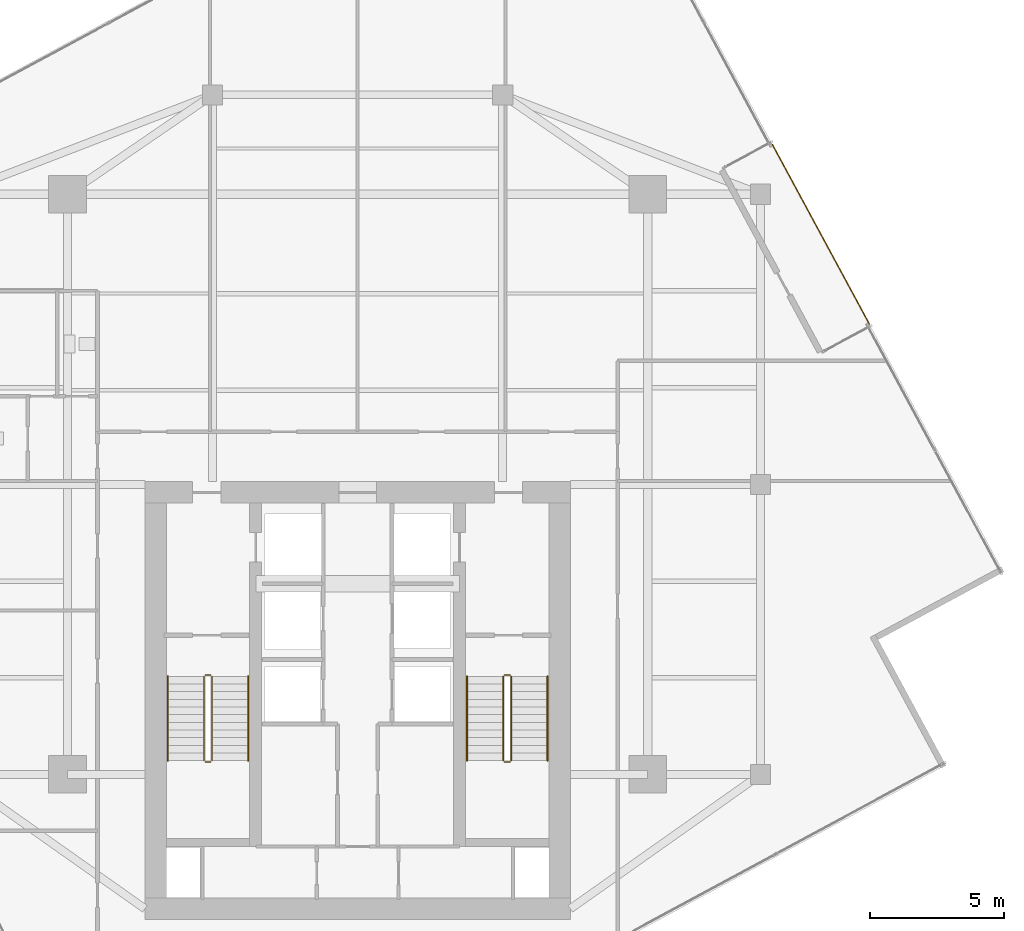
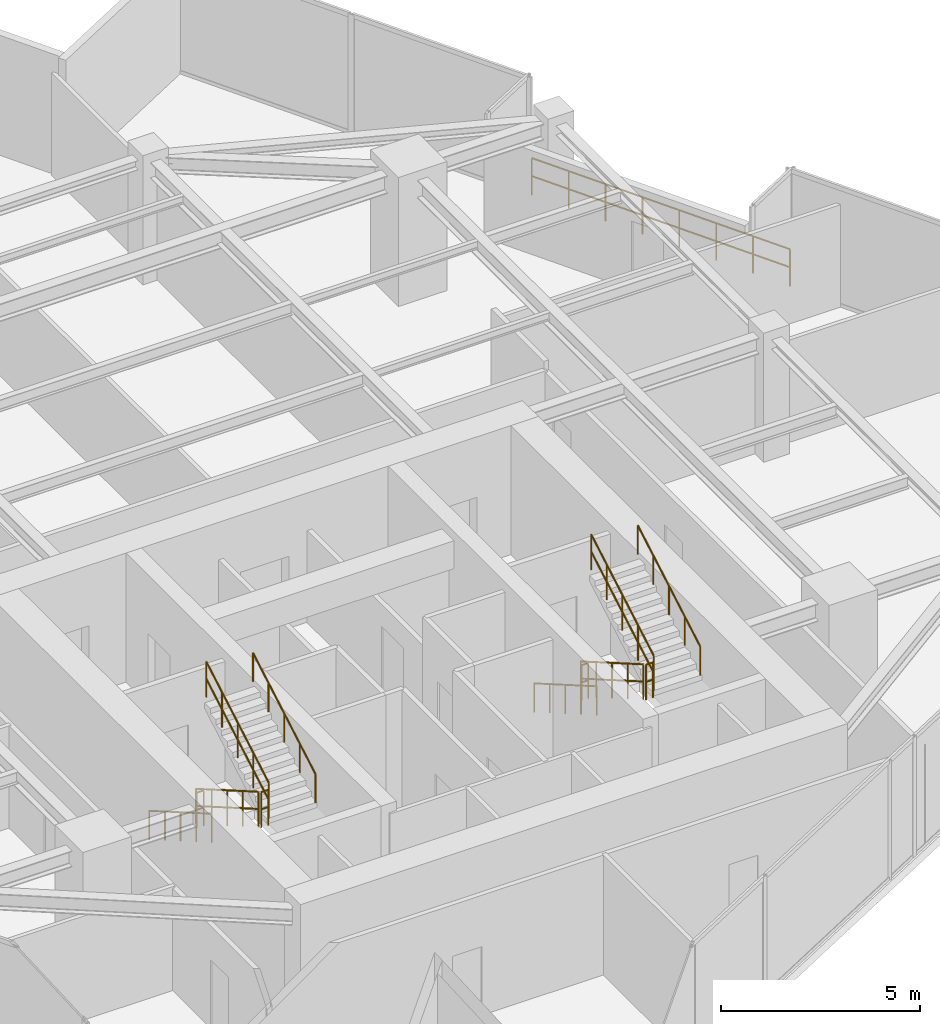
# One storey, part 21 of 22: 13 railings.
"""IFC4 building model written with IfcOpenShell, lengths in metres."""

from ifc_helpers import new_model, si_unit, direction, frame, origin, origin_2d, place, context, subcontext, project, spatial, circle, extrude, material, layer, layer_set, type_object, element, save


model = new_model("IFC4")

# Units and contexts
model_context = context("Model", 3, precision=1e-05, world=origin(), true_north=direction((0.0, 1.0)))
body_context = subcontext(model_context, "Body", "Model", "MODEL_VIEW")
ifc_project = project(units=[si_unit("LENGTHUNIT", "METRE"), si_unit("AREAUNIT", "SQUARE_METRE"), si_unit("VOLUMEUNIT", "CUBIC_METRE"), si_unit("PLANEANGLEUNIT", "RADIAN"), si_unit("MASSUNIT", "GRAM", prefix="KILO")], contexts=[model_context])

# Site, building, storey
site_placement = place(None, origin())
site = spatial("IfcSite", under=ifc_project, at=site_placement, CompositionType="ELEMENT")
building_placement = place(site_placement, origin())
building = spatial("IfcBuilding", under=site, at=building_placement, Name="Krantzveldt Concourse Tower", CompositionType="ELEMENT")
storey_placement = place(building_placement, frame((0.0, 0.0, 302.949951171875)))
storey = spatial("IfcBuildingStorey", under=building, at=storey_placement, Name="L74", CompositionType="ELEMENT", Elevation=302.949951171875)

# Railings
ifc_material = material(Name="Stainless steel 316L", Category="steel")
ifc_layer_1 = layer(ifc_material, 0.080078125, Name="Stainless steel 316L", Category="steel")
ifc_layer_set_1 = layer_set([ifc_layer_1], Name="Stainless steel 316L (RL-BALUSTRADE-1150)")
railing_type_1 = type_object("IfcRailingType", Name="RL-BALUSTRADE-1150", PredefinedType="BALUSTRADE", material=ifc_layer_set_1)
railing_1_placement = place(storey_placement, frame((51.439208984375, 39.358154296875, 0.0)))
element("IfcRailing", 1, at=railing_1_placement, inside=storey, type_object=railing_type_1, Name="GD-L74-CTER-01", PredefinedType="BALUSTRADE", context=body_context, shape_type="SweptSolid", body=[
    extrude(circle(Radius=0.02392578125, at=origin_2d()), frame((0.0, 0.0, 1.1259765625), z_axis=(0.475233473965, -0.879859730425, 0.0), x_axis=(0.879859730425, 0.475233473965, 0.0)), (0.0, 0.0, 1.0), 7.60009765625),
    extrude(circle(Radius=0.02392578125, at=origin_2d()), frame((0.0, 0.0, 0.574951171875), z_axis=(0.475233473965, -0.879859730425, 0.0), x_axis=(0.879859730425, 0.475233473965, 0.0)), (0.0, 0.0, 1.0), 7.60009765625),
    extrude(circle(Radius=0.02099609375, at=origin_2d()), origin(), (0.0, 0.0, 1.0), 1.101806640625),
    extrude(circle(Radius=0.02099609375, at=origin_2d()), frame((0.515869140625, -0.955322265625, 0.0)), (0.0, 0.0, 1.0), 1.101806640625),
    extrude(circle(Radius=0.02099609375, at=origin_2d()), frame((1.031982421875, -1.91064453125, 0.0)), (0.0, 0.0, 1.0), 1.101806640625),
    extrude(circle(Radius=0.02099609375, at=origin_2d()), frame((1.5478515625, -2.865966796875, 0.0)), (0.0, 0.0, 1.0), 1.101806640625),
    extrude(circle(Radius=0.02099609375, at=origin_2d()), frame((2.06396484375, -3.821044921875, 0.0)), (0.0, 0.0, 1.0), 1.101806640625),
    extrude(circle(Radius=0.02099609375, at=origin_2d()), frame((2.579833984375, -4.7763671875, 0.0)), (0.0, 0.0, 1.0), 1.101806640625),
    extrude(circle(Radius=0.02099609375, at=origin_2d()), frame((3.095947265625, -5.731689453125, 0.0)), (0.0, 0.0, 1.0), 1.101806640625),
    extrude(circle(Radius=0.02099609375, at=origin_2d()), frame((3.61181640625, -6.68701171875, 0.0)), (0.0, 0.0, 1.0), 1.101806640625),
])
ifc_layer_2 = layer(ifc_material, 0.06005859375, Name="Stainless steel 316L", Category="steel")
ifc_layer_set_2 = layer_set([ifc_layer_2], Name="Stainless steel 316L (RL-GUARD-1120)")
railing_type_2 = type_object("IfcRailingType", Name="RL-GUARD-1120", PredefinedType="GUARDRAIL", material=ifc_layer_set_2)
railing_2_placement = place(storey_placement, frame((30.280029296875, 19.550048828125, 0.16455078125)))
element("IfcRailing", 2, at=railing_2_placement, inside=storey, type_object=railing_type_2, Name="L74 ST-1 stair guard 1", PredefinedType="GUARDRAIL", context=body_context, shape_type="SweptSolid", body=[
    extrude(circle(Radius=0.02392578125, at=origin_2d()), frame((0.0, 0.0, 1.076171875), z_axis=(0.0, -0.865959834175, 0.500113552702), x_axis=(1.0, 0.0, 0.0)), (0.0, 0.0, 1.0), 3.620361328125),
    extrude(circle(Radius=0.02392578125, at=origin_2d()), frame((0.0, 0.0, 0.550048828125), z_axis=(0.0, -0.865959834175, 0.500113552702), x_axis=(1.0, 0.0, 0.0)), (0.0, 0.0, 1.0), 3.620361328125),
    extrude(circle(Radius=0.02099609375, at=origin_2d()), origin(), (0.0, 0.0, 1.0), 1.052001953125),
    extrude(circle(Radius=0.02099609375, at=origin_2d()), frame((0.0, -0.78369140625, 0.45263671875)), (0.0, 0.0, 1.0), 1.052001953125),
    extrude(circle(Radius=0.02099609375, at=origin_2d()), frame((0.0, -1.5673828125, 0.9052734375)), (0.0, 0.0, 1.0), 1.052001953125),
    extrude(circle(Radius=0.02099609375, at=origin_2d()), frame((0.0, -2.351318359375, 1.35791015625)), (0.0, 0.0, 1.0), 1.052001953125),
    extrude(circle(Radius=0.02099609375, at=origin_2d()), frame((0.0, -3.135009765625, 1.810546875)), (0.0, 0.0, 1.0), 1.052001953125),
])
railing_3_placement = place(storey_placement, frame((30.330078125, 16.364990234375, 1.97509765625)))
element("IfcRailing", 3, at=railing_3_placement, inside=storey, type_object=railing_type_2, Name="L74 ST-1 stair guard 2", PredefinedType="GUARDRAIL", context=body_context, shape_type="SweptSolid", body=[
    extrude(circle(Radius=0.02392578125, at=origin_2d()), frame((0.0, 0.0, 1.076171875), z_axis=(1.0, 0.0, 0.0), x_axis=(0.0, 1.0, 0.0)), (0.0, 0.0, 1.0), 0.199951171875),
    extrude(circle(Radius=0.02392578125, at=origin_2d()), frame((0.0, 0.0, 0.550048828125), z_axis=(1.0, 0.0, 0.0), x_axis=(0.0, 1.0, 0.0)), (0.0, 0.0, 1.0), 0.199951171875),
    extrude(circle(Radius=0.02099609375, at=origin_2d()), origin(), (0.0, 0.0, 1.0), 1.052001953125),
    extrude(circle(Radius=0.02099609375, at=origin_2d()), frame((0.199951171875, 0.0, 0.0)), (0.0, 0.0, 1.0), 1.052001953125),
])
railing_4_placement = place(storey_placement, frame((30.580078125, 16.4150390625, 2.1396484375)))
element("IfcRailing", 4, at=railing_4_placement, inside=storey, type_object=railing_type_2, Name="L74 ST-1 stair guard 3", PredefinedType="GUARDRAIL", context=body_context, shape_type="SweptSolid", body=[
    extrude(circle(Radius=0.02392578125, at=origin_2d()), frame((0.0, 0.0, 1.076171875), z_axis=(0.0, 0.865989039225, 0.500062979975), x_axis=(-1.0, 0.0, 0.0)), (0.0, 0.0, 1.0), 3.6201171875),
    extrude(circle(Radius=0.02392578125, at=origin_2d()), frame((0.0, 0.0, 0.550048828125), z_axis=(0.0, 0.865989039225, 0.500062979975), x_axis=(-1.0, 0.0, 0.0)), (0.0, 0.0, 1.0), 3.6201171875),
    extrude(circle(Radius=0.02099609375, at=origin_2d()), origin(), (0.0, 0.0, 1.0), 1.052001953125),
    extrude(circle(Radius=0.02099609375, at=origin_2d()), frame((0.0, 0.78369140625, 0.45263671875)), (0.0, 0.0, 1.0), 1.052001953125),
    extrude(circle(Radius=0.02099609375, at=origin_2d()), frame((0.0, 1.5673828125, 0.9052734375)), (0.0, 0.0, 1.0), 1.052001953125),
    extrude(circle(Radius=0.02099609375, at=origin_2d()), frame((0.0, 2.351318359375, 1.357666015625)), (0.0, 0.0, 1.0), 1.052001953125),
    extrude(circle(Radius=0.02099609375, at=origin_2d()), frame((0.0, 3.135009765625, 1.810302734375)), (0.0, 0.0, 1.0), 1.052001953125),
])
railing_5_placement = place(storey_placement, frame((30.330078125, 19.60009765625, 0.0)))
element("IfcRailing", 5, at=railing_5_placement, inside=storey, type_object=railing_type_2, Name="L74 ST-1 stair guard 4", PredefinedType="GUARDRAIL", context=body_context, shape_type="SweptSolid", body=[
    extrude(circle(Radius=0.02392578125, at=origin_2d()), frame((0.0, 0.0, 1.076171875), z_axis=(1.0, 0.0, 0.0), x_axis=(0.0, 1.0, 0.0)), (0.0, 0.0, 1.0), 0.199951171875),
    extrude(circle(Radius=0.02392578125, at=origin_2d()), frame((0.0, 0.0, 0.550048828125), z_axis=(1.0, 0.0, 0.0), x_axis=(0.0, 1.0, 0.0)), (0.0, 0.0, 1.0), 0.199951171875),
    extrude(circle(Radius=0.02099609375, at=origin_2d()), origin(), (0.0, 0.0, 1.0), 1.052001953125),
    extrude(circle(Radius=0.02099609375, at=origin_2d()), frame((0.199951171875, 0.0, 0.0)), (0.0, 0.0, 1.0), 1.052001953125),
])
railing_6_placement = place(storey_placement, frame((41.419921875, 19.550048828125, 0.16455078125)))
element("IfcRailing", 6, at=railing_6_placement, inside=storey, type_object=railing_type_2, Name="L74 ST-2 stair guard 1", PredefinedType="GUARDRAIL", context=body_context, shape_type="SweptSolid", body=[
    extrude(circle(Radius=0.02392578125, at=origin_2d()), frame((0.0, 0.0, 1.076171875), z_axis=(0.0, -0.865959834175, 0.500113552702), x_axis=(1.0, 0.0, 0.0)), (0.0, 0.0, 1.0), 3.620361328125),
    extrude(circle(Radius=0.02392578125, at=origin_2d()), frame((0.0, 0.0, 0.550048828125), z_axis=(0.0, -0.865959834175, 0.500113552702), x_axis=(1.0, 0.0, 0.0)), (0.0, 0.0, 1.0), 3.620361328125),
    extrude(circle(Radius=0.02099609375, at=origin_2d()), origin(), (0.0, 0.0, 1.0), 1.052001953125),
    extrude(circle(Radius=0.02099609375, at=origin_2d()), frame((0.0, -0.78369140625, 0.45263671875)), (0.0, 0.0, 1.0), 1.052001953125),
    extrude(circle(Radius=0.02099609375, at=origin_2d()), frame((0.0, -1.5673828125, 0.9052734375)), (0.0, 0.0, 1.0), 1.052001953125),
    extrude(circle(Radius=0.02099609375, at=origin_2d()), frame((0.0, -2.351318359375, 1.35791015625)), (0.0, 0.0, 1.0), 1.052001953125),
    extrude(circle(Radius=0.02099609375, at=origin_2d()), frame((0.0, -3.135009765625, 1.810546875)), (0.0, 0.0, 1.0), 1.052001953125),
])
railing_7_placement = place(storey_placement, frame((41.469970703125, 16.364990234375, 1.97509765625)))
element("IfcRailing", 7, at=railing_7_placement, inside=storey, type_object=railing_type_2, Name="L74 ST-2 stair guard 2", PredefinedType="GUARDRAIL", context=body_context, shape_type="SweptSolid", body=[
    extrude(circle(Radius=0.02392578125, at=origin_2d()), frame((0.0, 0.0, 1.076171875), z_axis=(1.0, 0.0, 0.0), x_axis=(0.0, 1.0, 0.0)), (0.0, 0.0, 1.0), 0.199951171875),
    extrude(circle(Radius=0.02392578125, at=origin_2d()), frame((0.0, 0.0, 0.550048828125), z_axis=(1.0, 0.0, 0.0), x_axis=(0.0, 1.0, 0.0)), (0.0, 0.0, 1.0), 0.199951171875),
    extrude(circle(Radius=0.02099609375, at=origin_2d()), origin(), (0.0, 0.0, 1.0), 1.052001953125),
    extrude(circle(Radius=0.02099609375, at=origin_2d()), frame((0.199951171875, 0.0, 0.0)), (0.0, 0.0, 1.0), 1.052001953125),
])
railing_8_placement = place(storey_placement, frame((41.719970703125, 16.4150390625, 2.1396484375)))
element("IfcRailing", 8, at=railing_8_placement, inside=storey, type_object=railing_type_2, Name="L74 ST-2 stair guard 3", PredefinedType="GUARDRAIL", context=body_context, shape_type="SweptSolid", body=[
    extrude(circle(Radius=0.02392578125, at=origin_2d()), frame((0.0, 0.0, 1.076171875), z_axis=(0.0, 0.865989039225, 0.500062979975), x_axis=(-1.0, 0.0, 0.0)), (0.0, 0.0, 1.0), 3.6201171875),
    extrude(circle(Radius=0.02392578125, at=origin_2d()), frame((0.0, 0.0, 0.550048828125), z_axis=(0.0, 0.865989039225, 0.500062979975), x_axis=(-1.0, 0.0, 0.0)), (0.0, 0.0, 1.0), 3.6201171875),
    extrude(circle(Radius=0.02099609375, at=origin_2d()), origin(), (0.0, 0.0, 1.0), 1.052001953125),
    extrude(circle(Radius=0.02099609375, at=origin_2d()), frame((0.0, 0.78369140625, 0.45263671875)), (0.0, 0.0, 1.0), 1.052001953125),
    extrude(circle(Radius=0.02099609375, at=origin_2d()), frame((0.0, 1.5673828125, 0.9052734375)), (0.0, 0.0, 1.0), 1.052001953125),
    extrude(circle(Radius=0.02099609375, at=origin_2d()), frame((0.0, 2.351318359375, 1.357666015625)), (0.0, 0.0, 1.0), 1.052001953125),
    extrude(circle(Radius=0.02099609375, at=origin_2d()), frame((0.0, 3.135009765625, 1.810302734375)), (0.0, 0.0, 1.0), 1.052001953125),
])
railing_9_placement = place(storey_placement, frame((41.469970703125, 19.60009765625, 0.0)))
element("IfcRailing", 9, at=railing_9_placement, inside=storey, type_object=railing_type_2, Name="L74 ST-2 stair guard 4", PredefinedType="GUARDRAIL", context=body_context, shape_type="SweptSolid", body=[
    extrude(circle(Radius=0.02392578125, at=origin_2d()), frame((0.0, 0.0, 1.076171875), z_axis=(1.0, 0.0, 0.0), x_axis=(0.0, 1.0, 0.0)), (0.0, 0.0, 1.0), 0.199951171875),
    extrude(circle(Radius=0.02392578125, at=origin_2d()), frame((0.0, 0.0, 0.550048828125), z_axis=(1.0, 0.0, 0.0), x_axis=(0.0, 1.0, 0.0)), (0.0, 0.0, 1.0), 0.199951171875),
    extrude(circle(Radius=0.02099609375, at=origin_2d()), origin(), (0.0, 0.0, 1.0), 1.052001953125),
    extrude(circle(Radius=0.02099609375, at=origin_2d()), frame((0.199951171875, 0.0, 0.0)), (0.0, 0.0, 1.0), 1.052001953125),
])
ifc_layer_3 = layer(ifc_material, 0.050048828125, Name="Stainless steel 316L", Category="steel")
ifc_layer_set_3 = layer_set([ifc_layer_3], Name="Stainless steel 316L (RL-HANDRAIL-920)")
railing_type_3 = type_object("IfcRailingType", Name="RL-HANDRAIL-920", PredefinedType="HANDRAIL", material=ifc_layer_set_3)
railing_10_placement = place(storey_placement, frame((28.929931640625, 19.550048828125, 0.16455078125)))
element("IfcRailing", 10, at=railing_10_placement, inside=storey, type_object=railing_type_3, Name="L74 ST-1 stair handrail 1", PredefinedType="HANDRAIL", context=body_context, shape_type="SweptSolid", body=[
    extrude(circle(Radius=0.02392578125, at=origin_2d()), frame((0.0, 0.0, 0.8759765625), z_axis=(0.0, -0.865959834175, 0.500113552702), x_axis=(1.0, 0.0, 0.0)), (0.0, 0.0, 1.0), 3.620361328125),
    extrude(circle(Radius=0.02099609375, at=origin_2d()), origin(), (0.0, 0.0, 1.0), 0.851806640625),
    extrude(circle(Radius=0.02099609375, at=origin_2d()), frame((0.0, -0.78369140625, 0.45263671875)), (0.0, 0.0, 1.0), 0.851806640625),
    extrude(circle(Radius=0.02099609375, at=origin_2d()), frame((0.0, -1.5673828125, 0.9052734375)), (0.0, 0.0, 1.0), 0.851806640625),
    extrude(circle(Radius=0.02099609375, at=origin_2d()), frame((0.0, -2.351318359375, 1.35791015625)), (0.0, 0.0, 1.0), 0.851806640625),
    extrude(circle(Radius=0.02099609375, at=origin_2d()), frame((0.0, -3.135009765625, 1.810546875)), (0.0, 0.0, 1.0), 0.851806640625),
])
railing_11_placement = place(storey_placement, frame((31.929931640625, 16.4150390625, 2.1396484375)))
element("IfcRailing", 11, at=railing_11_placement, inside=storey, type_object=railing_type_3, Name="L74 ST-1 stair handrail 2", PredefinedType="HANDRAIL", context=body_context, shape_type="SweptSolid", body=[
    extrude(circle(Radius=0.02392578125, at=origin_2d()), frame((0.0, 0.0, 0.8759765625), z_axis=(0.0, 0.865989039225, 0.500062979975), x_axis=(-1.0, 0.0, 0.0)), (0.0, 0.0, 1.0), 3.6201171875),
    extrude(circle(Radius=0.02099609375, at=origin_2d()), origin(), (0.0, 0.0, 1.0), 0.851806640625),
    extrude(circle(Radius=0.02099609375, at=origin_2d()), frame((0.0, 0.78369140625, 0.45263671875)), (0.0, 0.0, 1.0), 0.851806640625),
    extrude(circle(Radius=0.02099609375, at=origin_2d()), frame((0.0, 1.5673828125, 0.9052734375)), (0.0, 0.0, 1.0), 0.851806640625),
    extrude(circle(Radius=0.02099609375, at=origin_2d()), frame((0.0, 2.351318359375, 1.357666015625)), (0.0, 0.0, 1.0), 0.851806640625),
    extrude(circle(Radius=0.02099609375, at=origin_2d()), frame((0.0, 3.135009765625, 1.810302734375)), (0.0, 0.0, 1.0), 0.851806640625),
])
railing_12_placement = place(storey_placement, frame((40.070068359375, 19.550048828125, 0.16455078125)))
element("IfcRailing", 12, at=railing_12_placement, inside=storey, type_object=railing_type_3, Name="L74 ST-2 stair handrail 1", PredefinedType="HANDRAIL", context=body_context, shape_type="SweptSolid", body=[
    extrude(circle(Radius=0.02392578125, at=origin_2d()), frame((0.0, 0.0, 0.8759765625), z_axis=(0.0, -0.865959834175, 0.500113552702), x_axis=(1.0, 0.0, 0.0)), (0.0, 0.0, 1.0), 3.620361328125),
    extrude(circle(Radius=0.02099609375, at=origin_2d()), origin(), (0.0, 0.0, 1.0), 0.851806640625),
    extrude(circle(Radius=0.02099609375, at=origin_2d()), frame((0.0, -0.78369140625, 0.45263671875)), (0.0, 0.0, 1.0), 0.851806640625),
    extrude(circle(Radius=0.02099609375, at=origin_2d()), frame((0.0, -1.5673828125, 0.9052734375)), (0.0, 0.0, 1.0), 0.851806640625),
    extrude(circle(Radius=0.02099609375, at=origin_2d()), frame((0.0, -2.351318359375, 1.35791015625)), (0.0, 0.0, 1.0), 0.851806640625),
    extrude(circle(Radius=0.02099609375, at=origin_2d()), frame((0.0, -3.135009765625, 1.810546875)), (0.0, 0.0, 1.0), 0.851806640625),
])
railing_13_placement = place(storey_placement, frame((43.070068359375, 16.4150390625, 2.1396484375)))
element("IfcRailing", 13, at=railing_13_placement, inside=storey, type_object=railing_type_3, Name="L74 ST-2 stair handrail 2", PredefinedType="HANDRAIL", context=body_context, shape_type="SweptSolid", body=[
    extrude(circle(Radius=0.02392578125, at=origin_2d()), frame((0.0, 0.0, 0.8759765625), z_axis=(0.0, 0.865989039225, 0.500062979975), x_axis=(-1.0, 0.0, 0.0)), (0.0, 0.0, 1.0), 3.6201171875),
    extrude(circle(Radius=0.02099609375, at=origin_2d()), origin(), (0.0, 0.0, 1.0), 0.851806640625),
    extrude(circle(Radius=0.02099609375, at=origin_2d()), frame((0.0, 0.78369140625, 0.45263671875)), (0.0, 0.0, 1.0), 0.851806640625),
    extrude(circle(Radius=0.02099609375, at=origin_2d()), frame((0.0, 1.5673828125, 0.9052734375)), (0.0, 0.0, 1.0), 0.851806640625),
    extrude(circle(Radius=0.02099609375, at=origin_2d()), frame((0.0, 2.351318359375, 1.357666015625)), (0.0, 0.0, 1.0), 0.851806640625),
    extrude(circle(Radius=0.02099609375, at=origin_2d()), frame((0.0, 3.135009765625, 1.810302734375)), (0.0, 0.0, 1.0), 0.851806640625),
])

save(model, "model.ifc")
